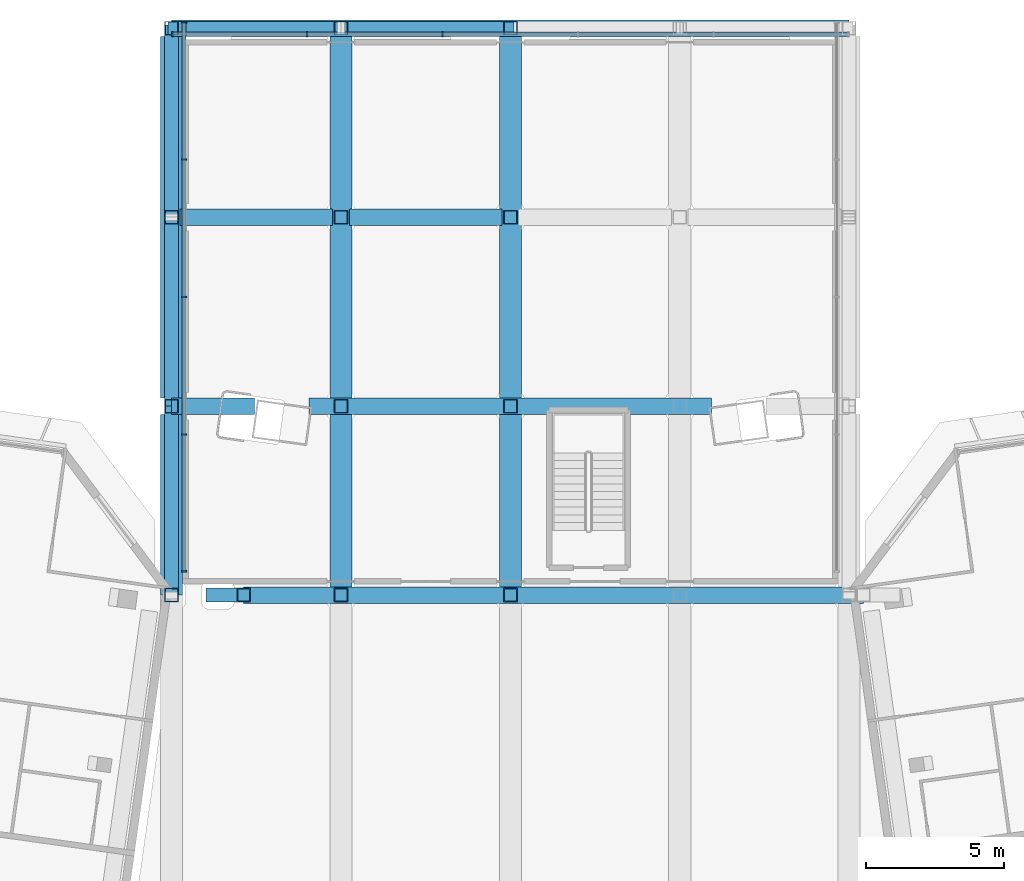
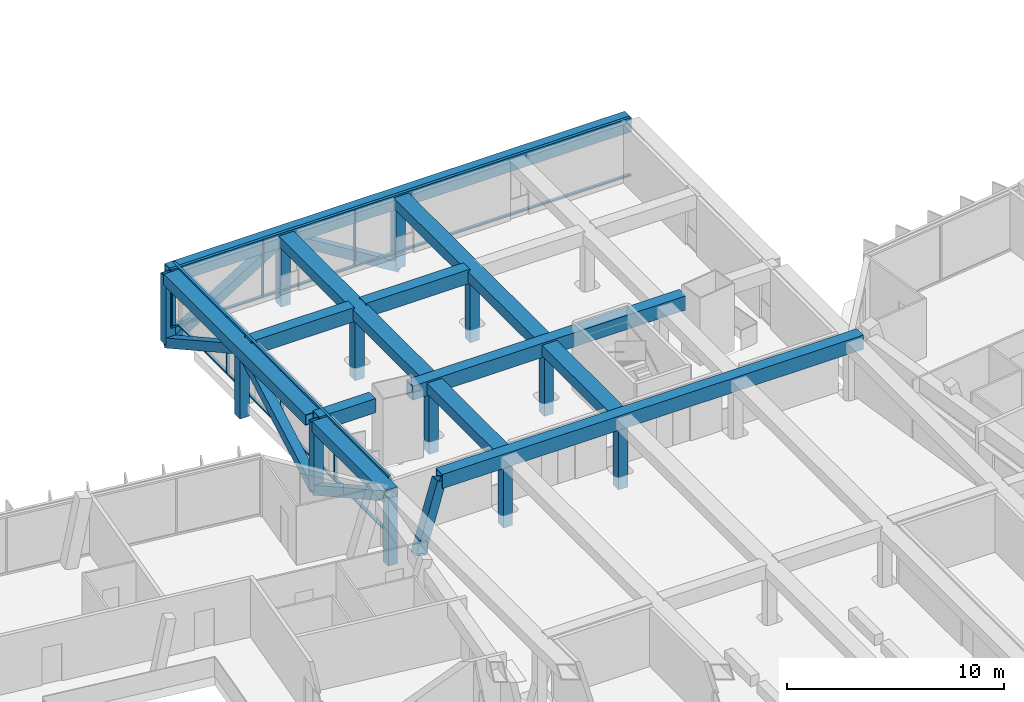
# One storey, part 6 of 25: 42 members, 2 elements without a shape of their own.
"""IFC4 building model written with IfcOpenShell, lengths in metres."""

from ifc_helpers import new_model, si_unit, direction, frame, origin, origin_2d, place, context, subcontext, project, spatial, rectangle, hollow_rectangle, extrude, material, material_profile, profile_set, type_object, element, aggregate, save


model = new_model("IFC4")

# Units and contexts
model_context = context("Model", 3, precision=1e-05, world=origin(), true_north=direction((0.0, 1.0)))
body_context = subcontext(model_context, "Body", "Model", "MODEL_VIEW")
ifc_project = project(units=[si_unit("LENGTHUNIT", "METRE"), si_unit("AREAUNIT", "SQUARE_METRE"), si_unit("VOLUMEUNIT", "CUBIC_METRE"), si_unit("PLANEANGLEUNIT", "RADIAN"), si_unit("MASSUNIT", "GRAM", prefix="KILO")], contexts=[model_context])

# Site, building, storey
site_placement = place(None, origin())
site = spatial("IfcSite", under=ifc_project, at=site_placement, CompositionType="ELEMENT")
building_placement = place(site_placement, origin())
building = spatial("IfcBuilding", under=site, at=building_placement, Name="Mirante Cascada Hotel Towers", CompositionType="ELEMENT")
storey_placement = place(building_placement, frame((0.0, 0.0, 266.0)))
storey = spatial("IfcBuildingStorey", under=building, at=storey_placement, Name="L64", CompositionType="ELEMENT", Elevation=266.0)

# Members
ifc_material_1 = material(Name="Steel ASTM A572 Gr 50", Category="steel")
ifc_material_profile_1 = material_profile(ifc_material_1, hollow_rectangle(XDim=0.6, YDim=0.8, WallThickness=0.04, at=origin_2d()), Name="Box chord 800x600x40 ASTM A572 Gr 50")
ifc_profile_set_1 = profile_set([ifc_material_profile_1], Name="Steel ASTM A572 Gr 50")
member_type_1 = type_object("IfcMemberType", Name="Box chord 800x600x40 ASTM A572 Gr 50", PredefinedType="CHORD", material=ifc_profile_set_1)
member_1_placement = place(storey_placement, frame((-12.2514, 9.9142, 2.9), z_axis=(0.0, 1.0, 0.0), x_axis=(0.0, 0.0, 1.0)))
element("IfcMember", 1, at=member_1_placement, inside=storey, type_object=member_type_1, Name="dchord sky park Roof garden 3", PredefinedType="CHORD", context=body_context, shape_type="SweptSolid", body=[
    extrude(hollow_rectangle(XDim=0.6, YDim=0.8, WallThickness=0.04, at=origin_2d()), origin(), (0.0, 0.0, 1.0), 6.5333),
])
member_2_placement = place(storey_placement, frame((-12.2514, 17.0475, 2.9), z_axis=(0.0, 1.0, 0.0), x_axis=(0.0, 0.0, 1.0)))
element("IfcMember", 2, at=member_2_placement, inside=storey, type_object=member_type_1, Name="dchord sky park Roof garden 4", PredefinedType="CHORD", context=body_context, shape_type="SweptSolid", body=[
    extrude(hollow_rectangle(XDim=0.6, YDim=0.8, WallThickness=0.04, at=origin_2d()), origin(), (0.0, 0.0, 1.0), 13.0667),
])
member_3_placement = place(storey_placement, frame((-6.1257, 10.2142, 2.9), z_axis=(0.0, 1.0, 0.0), x_axis=(0.0, 0.0, 1.0)))
element("IfcMember", 3, at=member_3_placement, inside=storey, type_object=member_type_1, Name="dchord sky park Roof garden 7", PredefinedType="CHORD", context=body_context, shape_type="SweptSolid", body=[
    extrude(hollow_rectangle(XDim=0.6, YDim=0.8, WallThickness=0.04, at=origin_2d()), origin(), (0.0, 0.0, 1.0), 6.2333),
])
member_4_placement = place(storey_placement, frame((-6.1257, 17.0475, 2.9), z_axis=(0.0, 1.0, 0.0), x_axis=(0.0, 0.0, 1.0)))
element("IfcMember", 4, at=member_4_placement, inside=storey, type_object=member_type_1, Name="dchord sky park Roof garden 8", PredefinedType="CHORD", context=body_context, shape_type="SweptSolid", body=[
    extrude(hollow_rectangle(XDim=0.6, YDim=0.8, WallThickness=0.04, at=origin_2d()), origin(), (0.0, 0.0, 1.0), 13.0667),
])
member_5_placement = place(storey_placement, frame((0.0, 10.2142, 2.9), z_axis=(0.0, 1.0, 0.0), x_axis=(0.0, 0.0, 1.0)))
element("IfcMember", 5, at=member_5_placement, inside=storey, type_object=member_type_1, Name="dchord sky park Roof garden 11", PredefinedType="CHORD", context=body_context, shape_type="SweptSolid", body=[
    extrude(hollow_rectangle(XDim=0.6, YDim=0.8, WallThickness=0.04, at=origin_2d()), origin(), (0.0, 0.0, 1.0), 6.2333),
])
member_6_placement = place(storey_placement, frame((0.0, 17.0475, 2.9), z_axis=(0.0, 1.0, 0.0), x_axis=(0.0, 0.0, 1.0)))
element("IfcMember", 6, at=member_6_placement, inside=storey, type_object=member_type_1, Name="dchord sky park Roof garden 12", PredefinedType="CHORD", context=body_context, shape_type="SweptSolid", body=[
    extrude(hollow_rectangle(XDim=0.6, YDim=0.8, WallThickness=0.04, at=origin_2d()), origin(), (0.0, 0.0, 1.0), 13.0667),
])
member_7_placement = place(storey_placement, frame((-9.6438, 9.9142, 2.9), z_axis=(1.0, 0.0, 0.0), x_axis=(0.0, 1.0, 0.0)))
element("IfcMember", 7, at=member_7_placement, inside=storey, type_object=member_type_1, Name="dchord sky park Roof garden 27", PredefinedType="CHORD", context=body_context, shape_type="SweptSolid", body=[
    extrude(hollow_rectangle(XDim=0.6, YDim=0.8, WallThickness=0.04, at=origin_2d()), origin(), (0.0, 0.0, 1.0), 22.4119),
])
member_8_placement = place(storey_placement, frame((-7.2746, 16.7475, 2.9), z_axis=(1.0, 0.0, 0.0), x_axis=(0.0, 1.0, 0.0)))
element("IfcMember", 8, at=member_8_placement, inside=storey, type_object=member_type_1, Name="dchord sky park Roof garden 29", PredefinedType="CHORD", context=body_context, shape_type="SweptSolid", body=[
    extrude(hollow_rectangle(XDim=0.6, YDim=0.8, WallThickness=0.04, at=origin_2d()), origin(), (0.0, 0.0, 1.0), 14.5492),
])
member_9_placement = place(storey_placement, frame((-12.2514, 16.7475, 2.9), z_axis=(1.0, 0.0, 0.0), x_axis=(0.0, 1.0, 0.0)))
element("IfcMember", 9, at=member_9_placement, inside=storey, type_object=member_type_1, Name="dchord sky park Roof garden 30", PredefinedType="CHORD", context=body_context, shape_type="SweptSolid", body=[
    extrude(hollow_rectangle(XDim=0.6, YDim=0.8, WallThickness=0.04, at=origin_2d()), origin(), (0.0, 0.0, 1.0), 3.0014),
])
for number, where, z_axis, x_axis, name in (
    (10, (-11.9514, 23.5808, 2.9), (1.0, 0.0, 0.0), (0.0, 1.0, 0.0), "dchord sky park Roof garden 32"),
    (11, (-5.8257, 23.5808, 2.9), (1.0, 0.0, 0.0), (0.0, 1.0, 0.0), "dchord sky park Roof garden 33"),
):
    element("IfcMember", number, at=place(storey_placement, frame(where, z_axis=z_axis, x_axis=x_axis)), inside=storey, type_object=member_type_1, Name=name, PredefinedType="CHORD", context=body_context, shape_type="SweptSolid", body=[
        extrude(hollow_rectangle(XDim=0.6, YDim=0.8, WallThickness=0.04, at=origin_2d()), origin(), (0.0, 0.0, 1.0), 5.5257),
    ])
member_10_placement = place(storey_placement, frame((-12.2514, 30.4142, 2.9), z_axis=(1.0, 0.0, 0.0), x_axis=(0.0, 1.0, 0.0)))
element("IfcMember", 12, at=member_10_placement, inside=storey, type_object=member_type_1, Name="dchord sky park Roof garden 36", PredefinedType="CHORD", context=body_context, shape_type="SweptSolid", body=[
    extrude(hollow_rectangle(XDim=0.6, YDim=0.8, WallThickness=0.04, at=origin_2d()), origin(), (0.0, 0.0, 1.0), 24.5028),
])
ifc_material_2 = material(Name="Steel ASTM A572 Gr 50", Category="steel")
ifc_material_profile_2 = material_profile(ifc_material_2, hollow_rectangle(XDim=0.5, YDim=0.5, WallThickness=0.03, at=origin_2d()), Name="Box diagonal 500x500x30 ASTM A572 Gr 50")
ifc_profile_set_2 = profile_set([ifc_material_profile_2], Name="Steel ASTM A572 Gr 50")
member_type_2 = type_object("IfcMemberType", Name="Box diagonal 500x500x30 ASTM A572 Gr 50", PredefinedType="BRACE", material=ifc_profile_set_2)
for number, where, z_axis, x_axis, name in (
    (13, (-12.2514, 16.7475, -0.9), (0.0, -0.8739551, 0.4860067), (1.0, 0.0, 0.0), "ddiag sky park L64 3"),
    (14, (-12.2514, 16.7475, -0.9), (0.0, 0.8739551, 0.4860067), (-1.0, 0.0, 0.0), "ddiag sky park L64 4"),
):
    element("IfcMember", number, at=place(storey_placement, frame(where, z_axis=z_axis, x_axis=x_axis)), inside=storey, type_object=member_type_2, Name=name, PredefinedType="BRACE", context=body_context, shape_type="SweptSolid", body=[
        extrude(hollow_rectangle(XDim=0.5, YDim=0.5, WallThickness=0.03, at=origin_2d()), origin(), (0.0, 0.0, 1.0), 7.8188),
    ])
member_11_placement = place(storey_placement, frame((-12.2514, 30.4142, -0.9), z_axis=(0.0, -0.8739581, 0.4860012), x_axis=(1.0, 0.0, 0.0)))
element("IfcMember", 15, at=member_11_placement, inside=storey, type_object=member_type_2, Name="ddiag sky park L64 5", PredefinedType="BRACE", context=body_context, shape_type="SweptSolid", body=[
    extrude(hollow_rectangle(XDim=0.5, YDim=0.5, WallThickness=0.03, at=origin_2d()), origin(), (0.0, 0.0, 1.0), 7.8189),
])
for number, where, z_axis, x_axis, name in (
    (16, (-12.2514, 30.4142, -0.9), (0.8497743, 0.0, 0.5271467), (0.0, 1.0, 0.0), "ddiag sky park L64 11"),
    (17, (0.0, 30.4142, -0.9), (-0.8497743, 0.0, 0.5271467), (0.0, -1.0, 0.0), "ddiag sky park L64 12"),
):
    element("IfcMember", number, at=place(storey_placement, frame(where, z_axis=z_axis, x_axis=x_axis)), inside=storey, type_object=member_type_2, Name=name, PredefinedType="BRACE", context=body_context, shape_type="SweptSolid", body=[
        extrude(hollow_rectangle(XDim=0.5, YDim=0.5, WallThickness=0.03, at=origin_2d()), origin(), (0.0, 0.0, 1.0), 7.2086),
    ])
ifc_material_3 = material(Name="Steel ASTM A572 Gr 50", Category="steel")
ifc_material_profile_3 = material_profile(ifc_material_3, hollow_rectangle(XDim=0.5, YDim=0.5, WallThickness=0.03, at=origin_2d()), Name="Box post 500x500x30 ASTM A572 Gr 50")
ifc_profile_set_3 = profile_set([ifc_material_profile_3], Name="Steel ASTM A572 Gr 50")
member_type_3 = type_object("IfcMemberType", Name="Box post 500x500x30 ASTM A572 Gr 50", PredefinedType="POST", material=ifc_profile_set_3)
for number, where, z_axis, x_axis, name in (
    (18, (-12.2514, 9.9142, -0.9), (0.0, 0.0, 1.0), (1.0, 0.0, 0.0), "dpost sky park L64 4"),
    (19, (-12.2514, 16.7475, -0.9), (0.0, 0.0, 1.0), (1.0, 0.0, 0.0), "dpost sky park L64 5"),
    (20, (-12.2514, 23.5808, -0.9), (0.0, 0.0, 1.0), (1.0, 0.0, 0.0), "dpost sky park L64 6"),
    (21, (-12.2514, 30.4142, -0.9), (0.0, 0.0, 1.0), (1.0, 0.0, 0.0), "dpost sky park L64 7"),
    (22, (-6.1257, 9.9142, -0.9), (0.0, 0.0, 1.0), (1.0, 0.0, 0.0), "dpost sky park L64 11"),
    (23, (-6.1257, 16.7475, -0.9), (0.0, 0.0, 1.0), (1.0, 0.0, 0.0), "dpost sky park L64 12"),
    (24, (-6.1257, 23.5808, -0.9), (0.0, 0.0, 1.0), (1.0, 0.0, 0.0), "dpost sky park L64 13"),
    (25, (-6.1257, 30.4142, -0.9), (0.0, 0.0, 1.0), (1.0, 0.0, 0.0), "dpost sky park L64 14"),
    (26, (0.0, 9.9142, -0.9), (0.0, 0.0, 1.0), (1.0, 0.0, 0.0), "dpost sky park L64 18"),
    (27, (0.0, 16.7475, -0.9), (0.0, 0.0, 1.0), (1.0, 0.0, 0.0), "dpost sky park L64 19"),
    (28, (0.0, 23.5808, -0.9), (0.0, 0.0, 1.0), (1.0, 0.0, 0.0), "dpost sky park L64 20"),
    (29, (0.0, 30.4142, -0.9), (0.0, 0.0, 1.0), (1.0, 0.0, 0.0), "dpost sky park L64 21"),
):
    element("IfcMember", number, at=place(storey_placement, frame(where, z_axis=z_axis, x_axis=x_axis)), inside=storey, type_object=member_type_3, Name=name, PredefinedType="POST", context=body_context, shape_type="SweptSolid", body=[
        extrude(hollow_rectangle(XDim=0.5, YDim=0.5, WallThickness=0.03, at=origin_2d()), origin(), (0.0, 0.0, 1.0), 3.8),
    ])
member_12_placement = place(storey_placement, frame((-10.7695, 9.9142, -0.9), z_axis=(0.2840359, 0.0, 0.9588136), x_axis=(0.0, 1.0, 0.0)))
element("IfcMember", 30, at=member_12_placement, inside=storey, type_object=member_type_3, Name="dpost sky park L64 40", PredefinedType="POST", context=body_context, shape_type="SweptSolid", body=[
    extrude(hollow_rectangle(XDim=0.5, YDim=0.5, WallThickness=0.03, at=origin_2d()), origin(), (0.0, 0.0, 1.0), 3.9632),
])

# Curtain wall, members
ifc_material_4 = material(Name="Aluminium mullion and transom frame with clear laminated glass", Category="aluminium")
curtain_wall_type = type_object("IfcCurtainWallType", Name="Sky park deck curtain wall ECW5", PredefinedType="NOTDEFINED", material=ifc_material_4)
curtain_wall_1_placement = place(storey_placement, origin())
curtain_wall_1 = element("IfcCurtainWall", 31, at=curtain_wall_1_placement, inside=storey, type_object=curtain_wall_type, Name="Sky park glazing L64 run 4", PredefinedType="NOTDEFINED")
ifc_material_5 = material(Name="Anodised aluminium extrusion", Category="aluminium")
ifc_material_profile_4 = material_profile(ifc_material_5, rectangle(XDim=0.18, YDim=0.06, at=origin_2d()), Name="ECW5 MULLION 60x180")
ifc_profile_set_4 = profile_set([ifc_material_profile_4], Name="Anodised aluminium extrusion")
member_type_4 = type_object("IfcMemberType", Name="ECW5 mullion 60x180", PredefinedType="MULLION", material=ifc_profile_set_4)
member_13_placement = place(storey_placement, frame((-2.4503, 30.1981, 0.09), z_axis=(0.0, 0.0, 1.0), x_axis=(0.0, -1.0, 0.0)))
member_13 = element("IfcMember", 32, at=member_13_placement, type_object=member_type_4, Name="ECW5 mullion 4", PredefinedType="MULLION", context=body_context, shape_type="SweptSolid", body=[
    extrude(rectangle(XDim=0.18, YDim=0.06, at=origin_2d()), origin(), (0.0, 0.0, 1.0), 3.12),
])
member_14_placement = place(storey_placement, frame((-7.3508, 30.1981, 0.09), z_axis=(0.0, 0.0, 1.0), x_axis=(0.0, -1.0, 0.0)))
member_14 = element("IfcMember", 33, at=member_14_placement, type_object=member_type_4, Name="ECW5 mullion 5", PredefinedType="MULLION", context=body_context, shape_type="SweptSolid", body=[
    extrude(rectangle(XDim=0.18, YDim=0.06, at=origin_2d()), origin(), (0.0, 0.0, 1.0), 3.12),
])
member_15_placement = place(storey_placement, frame((-12.2214, 30.1981, 0.09), z_axis=(0.0, 0.0, 1.0), x_axis=(0.0, -1.0, 0.0)))
member_15 = element("IfcMember", 34, at=member_15_placement, type_object=member_type_4, Name="ECW5 mullion 6", PredefinedType="MULLION", context=body_context, shape_type="SweptSolid", body=[
    extrude(rectangle(XDim=0.18, YDim=0.06, at=origin_2d()), origin(), (0.0, 0.0, 1.0), 3.12),
])

curtain_wall_2_placement = place(storey_placement, origin())
curtain_wall_2 = element("IfcCurtainWall", 35, at=curtain_wall_2_placement, inside=storey, type_object=curtain_wall_type, Name="Sky park glazing L64 run 5", PredefinedType="NOTDEFINED")
member_16_placement = place(storey_placement, frame((-11.8014, 30.6181, 0.09), z_axis=(0.0, 0.0, 1.0), x_axis=(1.0, 0.0, 0.0)))
member_16 = element("IfcMember", 36, at=member_16_placement, type_object=member_type_4, Name="ECW5 mullion 1", PredefinedType="MULLION", context=body_context, shape_type="SweptSolid", body=[
    extrude(rectangle(XDim=0.18, YDim=0.06, at=origin_2d()), origin(), (0.0, 0.0, 1.0), 3.12),
])
member_17_placement = place(storey_placement, frame((-11.8014, 25.6731, 0.09), z_axis=(0.0, 0.0, 1.0), x_axis=(1.0, 0.0, 0.0)))
member_17 = element("IfcMember", 37, at=member_17_placement, type_object=member_type_4, Name="ECW5 mullion 2", PredefinedType="MULLION", context=body_context, shape_type="SweptSolid", body=[
    extrude(rectangle(XDim=0.18, YDim=0.06, at=origin_2d()), origin(), (0.0, 0.0, 1.0), 3.12),
])
member_18_placement = place(storey_placement, frame((-11.8014, 20.6981, 0.09), z_axis=(0.0, 0.0, 1.0), x_axis=(1.0, 0.0, 0.0)))
member_18 = element("IfcMember", 38, at=member_18_placement, type_object=member_type_4, Name="ECW5 mullion 3", PredefinedType="MULLION", context=body_context, shape_type="SweptSolid", body=[
    extrude(rectangle(XDim=0.18, YDim=0.06, at=origin_2d()), origin(), (0.0, 0.0, 1.0), 3.12),
])
member_19_placement = place(storey_placement, frame((-11.8014, 15.7231, 0.09), z_axis=(0.0, 0.0, 1.0), x_axis=(1.0, 0.0, 0.0)))
member_19 = element("IfcMember", 39, at=member_19_placement, type_object=member_type_4, Name="ECW5 mullion 4", PredefinedType="MULLION", context=body_context, shape_type="SweptSolid", body=[
    extrude(rectangle(XDim=0.18, YDim=0.06, at=origin_2d()), origin(), (0.0, 0.0, 1.0), 3.12),
])
member_20_placement = place(storey_placement, frame((-11.8014, 10.7781, 0.09), z_axis=(0.0, 0.0, 1.0), x_axis=(1.0, 0.0, 0.0)))
member_20 = element("IfcMember", 40, at=member_20_placement, type_object=member_type_4, Name="ECW5 mullion 5", PredefinedType="MULLION", context=body_context, shape_type="SweptSolid", body=[
    extrude(rectangle(XDim=0.18, YDim=0.06, at=origin_2d()), origin(), (0.0, 0.0, 1.0), 3.12),
])

# Member
ifc_material_6 = material(Name="Anodised aluminium extrusion", Category="aluminium")
ifc_material_profile_5 = material_profile(ifc_material_6, rectangle(XDim=0.15, YDim=0.09, at=origin_2d()), Name="ECW5 TRANSOM 90x150")
ifc_profile_set_5 = profile_set([ifc_material_profile_5], Name="Anodised aluminium extrusion")
member_type_5 = type_object("IfcMemberType", Name="ECW5 transom 90x150", PredefinedType="USERDEFINED", material=ifc_profile_set_5)
member_21_placement = place(storey_placement, frame((12.2514, 30.1981, 0.045), z_axis=(-1.0, 0.0, 0.0), x_axis=(0.0, -1.0, 0.0)))
member_21 = element("IfcMember", 41, at=member_21_placement, type_object=member_type_5, Name="ECW5 sill transom", ObjectType="TRANSOM", PredefinedType="USERDEFINED", context=body_context, shape_type="SweptSolid", body=[
    extrude(rectangle(XDim=0.15, YDim=0.09, at=origin_2d()), origin(), (0.0, 0.0, 1.0), 24.5028),
])

member_22_placement = place(storey_placement, frame((12.2514, 30.1981, 3.255), z_axis=(-1.0, 0.0, 0.0), x_axis=(0.0, -1.0, 0.0)))
member_22 = element("IfcMember", 42, at=member_22_placement, type_object=member_type_5, Name="ECW5 head transom", ObjectType="TRANSOM", PredefinedType="USERDEFINED", context=body_context, shape_type="SweptSolid", body=[
    extrude(rectangle(XDim=0.15, YDim=0.09, at=origin_2d()), origin(), (0.0, 0.0, 1.0), 24.5028),
])

aggregate(curtain_wall_1, [member_21, member_22, member_13, member_14, member_15])

member_23_placement = place(storey_placement, frame((-11.8014, 30.6481, 0.045), z_axis=(0.0, -1.0, 0.0), x_axis=(1.0, 0.0, 0.0)))
member_23 = element("IfcMember", 43, at=member_23_placement, type_object=member_type_5, Name="ECW5 sill transom", ObjectType="TRANSOM", PredefinedType="USERDEFINED", context=body_context, shape_type="SweptSolid", body=[
    extrude(rectangle(XDim=0.15, YDim=0.09, at=origin_2d()), origin(), (0.0, 0.0, 1.0), 19.9),
])

member_24_placement = place(storey_placement, frame((-11.8014, 30.6481, 3.255), z_axis=(0.0, -1.0, 0.0), x_axis=(1.0, 0.0, 0.0)))
member_24 = element("IfcMember", 44, at=member_24_placement, type_object=member_type_5, Name="ECW5 head transom", ObjectType="TRANSOM", PredefinedType="USERDEFINED", context=body_context, shape_type="SweptSolid", body=[
    extrude(rectangle(XDim=0.15, YDim=0.09, at=origin_2d()), origin(), (0.0, 0.0, 1.0), 19.9),
])

aggregate(curtain_wall_2, [member_23, member_24, member_16, member_17, member_18, member_19, member_20])

save(model, "model.ifc")
